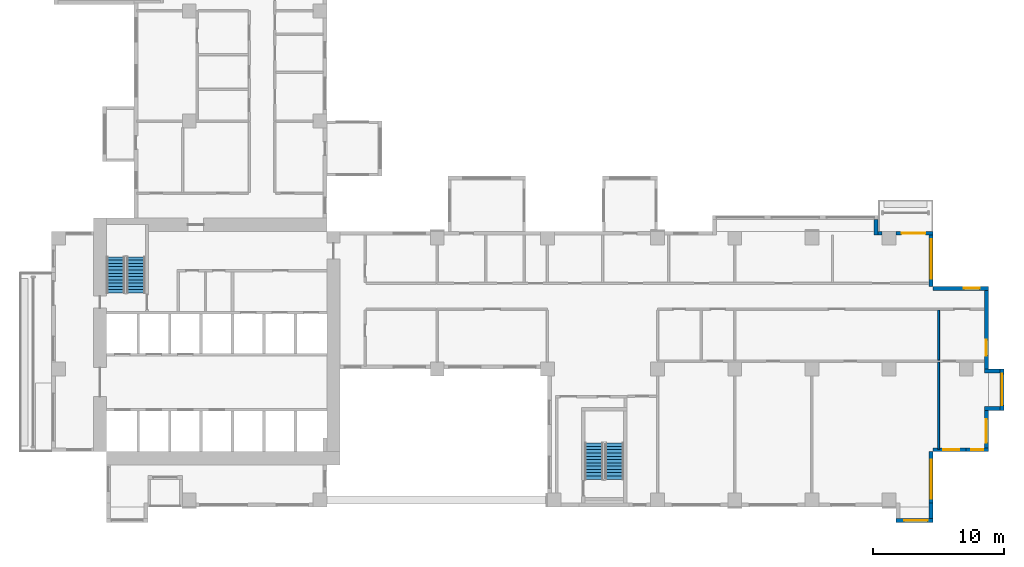
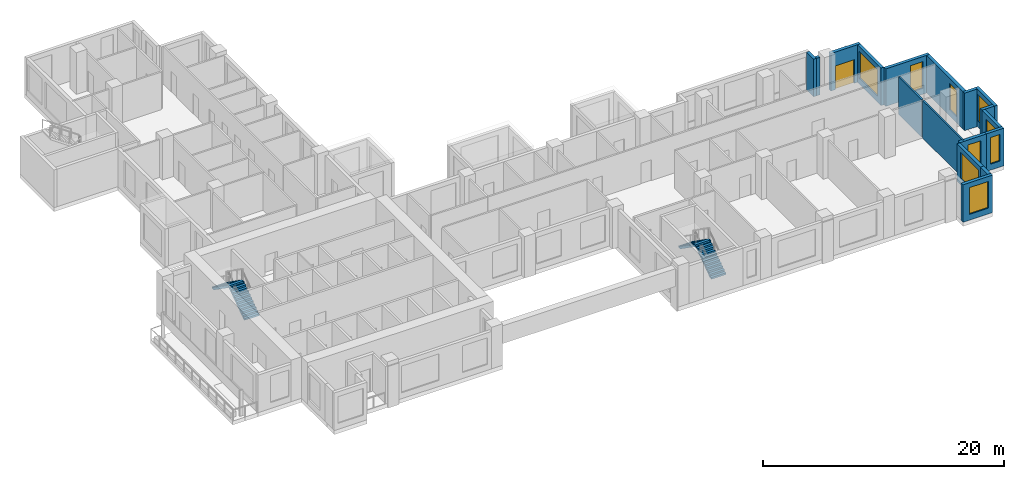
# One storey, part 8 of 14: 17 walls, 9 windows, 4 stair flights, 1 door, 10 openings, 2 elements without a shape of their own.
"""IFC4 building model written with IfcOpenShell, lengths in metres."""

from ifc_helpers import new_model, si_unit, direction, frame, frame_2d, origin, place, context, subcontext, project, spatial, polyline, rectangle, outline, extrude, source, transform, mapped, material, layer, layer_set, type_object, element, fill, aggregate, save


model = new_model("IFC4")

# Units and contexts
model_context = context("Model", 3, precision=1e-05, world=origin(), true_north=direction((0.0, 1.0)))
body_context = subcontext(model_context, "Body", "Model", "MODEL_VIEW")
ifc_project = project(units=[si_unit("LENGTHUNIT", "METRE"), si_unit("AREAUNIT", "SQUARE_METRE"), si_unit("VOLUMEUNIT", "CUBIC_METRE"), si_unit("PLANEANGLEUNIT", "RADIAN"), si_unit("MASSUNIT", "GRAM", prefix="KILO")], contexts=[model_context])

# Site, building, storey
site_placement = place(None, origin())
site = spatial("IfcSite", under=ifc_project, at=site_placement, CompositionType="ELEMENT")
building_placement = place(site_placement, origin())
building = spatial("IfcBuilding", under=site, at=building_placement, Name="Aurelian Terraces", CompositionType="ELEMENT")
storey_placement = place(building_placement, frame((0.0, 0.0, 153.9)))
storey = spatial("IfcBuildingStorey", under=building, at=storey_placement, Name="L34", CompositionType="ELEMENT", Elevation=153.9)

# Wall, opening, window
ifc_material_1 = material(Name="Terracotta rainscreen cladding", Category="masonry")
ifc_layer_1 = layer(ifc_material_1, 0.3)
ifc_layer_set_1 = layer_set([ifc_layer_1], Name="EW-300")
wall_type_1 = type_object("IfcWallType", Name="EW-300", PredefinedType="STANDARD", material=ifc_layer_set_1)
shared_shape_1 = source(origin(), body_context, "Body", "SweptSolid", [
    extrude(rectangle(XDim=3.15, YDim=0.3, at=frame_2d((1.575, 0.0))), origin(), (0.0, 0.0, 1.0), 3.8),
])
wall_1_placement = place(storey_placement, frame((71.25, 4.2, 0.0), z_axis=(0.0, 0.0, 1.0), x_axis=(0.0, 1.0, 0.0)))
wall_1 = element("IfcWall", 1, at=wall_1_placement, inside=storey, type_object=wall_type_1, Name="External wall L34 F08.17", PredefinedType="STANDARD", context=body_context, shape_type="MappedRepresentation", body=[
    mapped(shared_shape_1, transform((0.0, 0.0, 0.0), scale=1.0)),
])
shared_shape_2 = source(origin(), body_context, "Body", "SweptSolid", [
    extrude(rectangle(XDim=1.8, YDim=2.7, at=frame_2d((0.9, 1.35))), frame((0.0, 0.16, 0.0), z_axis=(0.0, -1.0, 0.0), x_axis=(1.0, 0.0, 0.0)), (0.0, 0.0, 1.0), 0.32),
])
opening_1_placement = place(wall_1_placement, frame((0.675, 0.0, 0.6)))
opening_1 = element("IfcOpeningElement", 2, at=opening_1_placement, cuts=wall_1, Name="Opening W1827", PredefinedType="OPENING", context=body_context, shape_type="MappedRepresentation", body=[
    mapped(shared_shape_2, transform((0.0, 0.0, 0.0), scale=1.0)),
])
ifc_material_2 = material(Name="Clear glazing", Category="glass")
window_type_1 = type_object("IfcWindowType", Name="W-1800x2700", PartitioningType="SINGLE_PANEL", PredefinedType="WINDOW", material=ifc_material_2)
shared_shape_3 = source(origin(), body_context, "Body", "SweptSolid", [
    extrude(rectangle(XDim=1.8, YDim=2.7, at=frame_2d((0.9, 1.35))), frame((0.0, 0.03, 0.0), z_axis=(0.0, -1.0, 0.0), x_axis=(1.0, 0.0, 0.0)), (0.0, 0.0, 1.0), 0.06),
])
window_1_placement = place(opening_1_placement, origin())
window_1 = element("IfcWindow", 3, at=window_1_placement, inside=storey, type_object=window_type_1, Name="Window L34 L34-F08-17-0", OverallHeight=2.7, OverallWidth=1.8, PartitioningType="SINGLE_PANEL", PredefinedType="WINDOW", context=body_context, shape_type="MappedRepresentation", body=[
    mapped(shared_shape_3, transform((0.0, 0.0, 0.0), scale=1.0)),
])
fill(opening_1, window_1)

wall_2_placement = place(storey_placement, frame((72.45, 7.35, 0.0), z_axis=(0.0, 0.0, 1.0), x_axis=(0.0, 1.0, 0.0)))
wall_2 = element("IfcWall", 4, at=wall_2_placement, inside=storey, type_object=wall_type_1, Name="Bay wall L34 F08.18", PredefinedType="STANDARD", context=body_context, shape_type="MappedRepresentation", body=[
    mapped(shared_shape_1, transform((0.0, 0.0, 0.0), scale=1.0)),
])
shared_shape_4 = source(origin(), body_context, "Body", "SweptSolid", [
    extrude(rectangle(XDim=2.4, YDim=2.7, at=frame_2d((1.2, 1.35))), frame((0.0, 0.16, 0.0), z_axis=(0.0, -1.0, 0.0), x_axis=(1.0, 0.0, 0.0)), (0.0, 0.0, 1.0), 0.32),
])
opening_2_placement = place(wall_2_placement, frame((0.375, 0.0, 0.6)))
opening_2 = element("IfcOpeningElement", 5, at=opening_2_placement, cuts=wall_2, Name="Opening W2427", PredefinedType="OPENING", context=body_context, shape_type="MappedRepresentation", body=[
    mapped(shared_shape_4, transform((0.0, 0.0, 0.0), scale=1.0)),
])
window_type_2 = type_object("IfcWindowType", Name="W-2400x2700", PartitioningType="SINGLE_PANEL", PredefinedType="WINDOW", material=ifc_material_2)
shared_shape_5 = source(origin(), body_context, "Body", "SweptSolid", [
    extrude(rectangle(XDim=2.4, YDim=2.7, at=frame_2d((1.2, 1.35))), frame((0.0, 0.03, 0.0), z_axis=(0.0, -1.0, 0.0), x_axis=(1.0, 0.0, 0.0)), (0.0, 0.0, 1.0), 0.06),
])
window_2_placement = place(opening_2_placement, origin())
window_2 = element("IfcWindow", 6, at=window_2_placement, inside=storey, type_object=window_type_2, Name="Window L34 L34-F08-18-0", OverallHeight=2.7, OverallWidth=2.4, PartitioningType="SINGLE_PANEL", PredefinedType="WINDOW", context=body_context, shape_type="MappedRepresentation", body=[
    mapped(shared_shape_5, transform((0.0, 0.0, 0.0), scale=1.0)),
])
fill(opening_2, window_2)

shared_shape_6 = source(origin(), body_context, "Body", "SweptSolid", [
    extrude(rectangle(XDim=4.2, YDim=0.3, at=frame_2d((2.1, 0.0))), origin(), (0.0, 0.0, 1.0), 3.8),
])
wall_3_placement = place(storey_placement, frame((67.05, 0.0, 0.0), z_axis=(0.0, 0.0, 1.0), x_axis=(0.0, 1.0, 0.0)))
wall_3 = element("IfcWall", 7, at=wall_3_placement, inside=storey, type_object=wall_type_1, Name="External wall L34 F06.14", PredefinedType="STANDARD", context=body_context, shape_type="MappedRepresentation", body=[
    mapped(shared_shape_6, transform((0.0, 0.0, 0.0), scale=1.0)),
])
shared_shape_7 = source(origin(), body_context, "Body", "SweptSolid", [
    extrude(rectangle(XDim=3.0, YDim=2.7, at=frame_2d((1.5, 1.35))), frame((0.0, 0.16, 0.0), z_axis=(0.0, -1.0, 0.0), x_axis=(1.0, 0.0, 0.0)), (0.0, 0.0, 1.0), 0.32),
])
opening_3_placement = place(wall_3_placement, frame((0.6, 0.0, 0.6)))
opening_3 = element("IfcOpeningElement", 8, at=opening_3_placement, cuts=wall_3, Name="Opening W3027", PredefinedType="OPENING", context=body_context, shape_type="MappedRepresentation", body=[
    mapped(shared_shape_7, transform((0.0, 0.0, 0.0), scale=1.0)),
])
window_type_3 = type_object("IfcWindowType", Name="W-3000x2700", PartitioningType="SINGLE_PANEL", PredefinedType="WINDOW", material=ifc_material_2)
shared_shape_8 = source(origin(), body_context, "Body", "SweptSolid", [
    extrude(rectangle(XDim=3.0, YDim=2.7, at=frame_2d((1.5, 1.35))), frame((0.0, 0.03, 0.0), z_axis=(0.0, -1.0, 0.0), x_axis=(1.0, 0.0, 0.0)), (0.0, 0.0, 1.0), 0.06),
])
window_3_placement = place(opening_3_placement, origin())
window_3 = element("IfcWindow", 9, at=window_3_placement, inside=storey, type_object=window_type_3, Name="Window L34 L34-F06-14-0", OverallHeight=2.7, OverallWidth=3.0, PartitioningType="SINGLE_PANEL", PredefinedType="WINDOW", context=body_context, shape_type="MappedRepresentation", body=[
    mapped(shared_shape_8, transform((0.0, 0.0, 0.0), scale=1.0)),
])
fill(opening_3, window_3)

wall_4_placement = place(storey_placement, frame((71.4, 16.65, 0.0), z_axis=(0.0, 0.0, 1.0), x_axis=(-1.0, 0.0, 0.0)))
wall_4 = element("IfcWall", 10, at=wall_4_placement, inside=storey, type_object=wall_type_1, Name="External wall L34 F09.20", PredefinedType="STANDARD", context=body_context, shape_type="MappedRepresentation", body=[
    mapped(shared_shape_6, transform((0.0, 0.0, 0.0), scale=1.0)),
])
shared_shape_9 = source(origin(), body_context, "Body", "SweptSolid", [
    extrude(rectangle(XDim=1.2, YDim=2.7, at=frame_2d((0.6, 1.35))), frame((0.0, 0.16, 0.0), z_axis=(0.0, -1.0, 0.0), x_axis=(1.0, 0.0, 0.0)), (0.0, 0.0, 1.0), 0.32),
])
opening_4_placement = place(wall_4_placement, frame((0.66, 0.0, 0.6)))
opening_4 = element("IfcOpeningElement", 11, at=opening_4_placement, cuts=wall_4, Name="Opening W1227", PredefinedType="OPENING", context=body_context, shape_type="MappedRepresentation", body=[
    mapped(shared_shape_9, transform((0.0, 0.0, 0.0), scale=1.0)),
])
window_type_4 = type_object("IfcWindowType", Name="W-1200x2700", PartitioningType="SINGLE_PANEL", PredefinedType="WINDOW", material=ifc_material_2)
shared_shape_10 = source(origin(), body_context, "Body", "SweptSolid", [
    extrude(rectangle(XDim=1.2, YDim=2.7, at=frame_2d((0.6, 1.35))), frame((0.0, 0.03, 0.0), z_axis=(0.0, -1.0, 0.0), x_axis=(1.0, 0.0, 0.0)), (0.0, 0.0, 1.0), 0.06),
])
window_4_placement = place(opening_4_placement, origin())
window_4 = element("IfcWindow", 12, at=window_4_placement, inside=storey, type_object=window_type_4, Name="Window L34 L34-F09-20-0", OverallHeight=2.7, OverallWidth=1.2, PartitioningType="SINGLE_PANEL", PredefinedType="WINDOW", context=body_context, shape_type="MappedRepresentation", body=[
    mapped(shared_shape_10, transform((0.0, 0.0, 0.0), scale=1.0)),
])
fill(opening_4, window_4)

wall_5_placement = place(storey_placement, frame((67.05, 16.8, 0.0), z_axis=(0.0, 0.0, 1.0), x_axis=(0.0, 1.0, 0.0)))
wall_5 = element("IfcWall", 13, at=wall_5_placement, inside=storey, type_object=wall_type_1, Name="External wall L34 F10.21", PredefinedType="STANDARD", context=body_context, shape_type="MappedRepresentation", body=[
    mapped(shared_shape_6, transform((0.0, 0.0, 0.0), scale=1.0)),
])
opening_5_placement = place(wall_5_placement, frame((0.6, 0.0, 0.6)))
opening_5 = element("IfcOpeningElement", 14, at=opening_5_placement, cuts=wall_5, Name="Opening W3027", PredefinedType="OPENING", context=body_context, shape_type="MappedRepresentation", body=[
    mapped(shared_shape_7, transform((0.0, 0.0, 0.0), scale=1.0)),
])
window_5_placement = place(opening_5_placement, origin())
window_5 = element("IfcWindow", 15, at=window_5_placement, inside=storey, type_object=window_type_3, Name="Window L34 L34-F10-21-0", OverallHeight=2.7, OverallWidth=3.0, PartitioningType="SINGLE_PANEL", PredefinedType="WINDOW", context=body_context, shape_type="MappedRepresentation", body=[
    mapped(shared_shape_8, transform((0.0, 0.0, 0.0), scale=1.0)),
])
fill(opening_5, window_5)

# Walls
shared_shape_11 = source(origin(), body_context, "Body", "SweptSolid", [
    extrude(rectangle(XDim=1.2, YDim=0.3, at=frame_2d((0.6, 0.0))), origin(), (0.0, 0.0, 1.0), 3.8),
])
for number, where, z_axis, x_axis, name in (
    (16, (67.05, 0.3, 0.0), (0.0, 0.0, 1.0), (0.0, -1.0, 0.0), "Bay return L34 F05.13.2"),
    (17, (71.1, 7.5, 0.0), (0.0, 0.0, 1.0), (1.0, 0.0, 0.0), "Bay return L34 F08.18.1"),
    (18, (71.1, 10.35, 0.0), (0.0, 0.0, 1.0), (1.0, 0.0, 0.0), "Bay return L34 F08.18.2"),
    (19, (62.85, 20.7, 0.0), (0.0, 0.0, 1.0), (0.0, 1.0, 0.0), "Bay return L34 F11.23.1"),
):
    element("IfcWall", number, at=place(storey_placement, frame(where, z_axis=z_axis, x_axis=x_axis)), inside=storey, type_object=wall_type_1, Name=name, PredefinedType="STANDARD", context=body_context, shape_type="MappedRepresentation", body=[
        mapped(shared_shape_11, transform((0.0, 0.0, 0.0), scale=1.0)),
    ])

# Wall, opening, window
shared_shape_12 = source(origin(), body_context, "Body", "SweptSolid", [
    extrude(rectangle(XDim=2.52, YDim=0.3, at=frame_2d((1.26, 0.0))), origin(), (0.0, 0.0, 1.0), 3.8),
])
wall_6_placement = place(storey_placement, frame((67.2, 4.35, 0.0), z_axis=(0.0, 0.0, 1.0), x_axis=(1.0, 0.0, 0.0)))
wall_6 = element("IfcWall", 20, at=wall_6_placement, inside=storey, type_object=wall_type_1, Name="External wall L34 F07.15", PredefinedType="STANDARD", context=body_context, shape_type="MappedRepresentation", body=[
    mapped(shared_shape_12, transform((0.0, 0.0, 0.0), scale=1.0)),
])
opening_6_placement = place(wall_6_placement, frame((0.7775, 0.0, 0.6)))
opening_6 = element("IfcOpeningElement", 21, at=opening_6_placement, cuts=wall_6, Name="Opening W1227", PredefinedType="OPENING", context=body_context, shape_type="MappedRepresentation", body=[
    mapped(shared_shape_9, transform((0.0, 0.0, 0.0), scale=1.0)),
])
window_6_placement = place(opening_6_placement, origin())
window_6 = element("IfcWindow", 22, at=window_6_placement, inside=storey, type_object=window_type_4, Name="Window L34 L34-F07-15-P0", OverallHeight=2.7, OverallWidth=1.2, PartitioningType="SINGLE_PANEL", PredefinedType="WINDOW", context=body_context, shape_type="MappedRepresentation", body=[
    mapped(shared_shape_10, transform((0.0, 0.0, 0.0), scale=1.0)),
])
fill(opening_6, window_6)

shared_shape_13 = source(origin(), body_context, "Body", "SweptSolid", [
    extrude(rectangle(XDim=1.68, YDim=0.3, at=frame_2d((0.84, 0.0))), origin(), (0.0, 0.0, 1.0), 3.8),
])
wall_7_placement = place(storey_placement, frame((69.72, 4.35, 0.0), z_axis=(0.0, 0.0, 1.0), x_axis=(1.0, 0.0, 0.0)))
wall_7 = element("IfcWall", 23, at=wall_7_placement, inside=storey, type_object=wall_type_1, Name="External wall L34 F07.16", PredefinedType="STANDARD", context=body_context, shape_type="MappedRepresentation", body=[
    mapped(shared_shape_13, transform((0.0, 0.0, 0.0), scale=1.0)),
])
shared_shape_14 = source(origin(), body_context, "Body", "SweptSolid", [
    extrude(rectangle(XDim=0.9, YDim=2.7, at=frame_2d((0.45, 1.35))), frame((0.0, 0.16, 0.0), z_axis=(0.0, -1.0, 0.0), x_axis=(1.0, 0.0, 0.0)), (0.0, 0.0, 1.0), 0.32),
])
opening_7_placement = place(wall_7_placement, frame((0.39, 0.0, 0.6)))
opening_7 = element("IfcOpeningElement", 24, at=opening_7_placement, cuts=wall_7, Name="Opening W0927", PredefinedType="OPENING", context=body_context, shape_type="MappedRepresentation", body=[
    mapped(shared_shape_14, transform((0.0, 0.0, 0.0), scale=1.0)),
])
window_type_5 = type_object("IfcWindowType", Name="W-900x2700", PartitioningType="SINGLE_PANEL", PredefinedType="WINDOW", material=ifc_material_2)
shared_shape_15 = source(origin(), body_context, "Body", "SweptSolid", [
    extrude(rectangle(XDim=0.9, YDim=2.7, at=frame_2d((0.45, 1.35))), frame((0.0, 0.03, 0.0), z_axis=(0.0, -1.0, 0.0), x_axis=(1.0, 0.0, 0.0)), (0.0, 0.0, 1.0), 0.06),
])
window_7_placement = place(opening_7_placement, origin())
window_7 = element("IfcWindow", 25, at=window_7_placement, inside=storey, type_object=window_type_5, Name="Window L34 L34-F07-16-P0", OverallHeight=2.7, OverallWidth=0.9, PartitioningType="SINGLE_PANEL", PredefinedType="WINDOW", context=body_context, shape_type="MappedRepresentation", body=[
    mapped(shared_shape_15, transform((0.0, 0.0, 0.0), scale=1.0)),
])
fill(opening_7, window_7)

shared_shape_16 = source(origin(), body_context, "Body", "SweptSolid", [
    extrude(rectangle(XDim=6.3, YDim=0.3, at=frame_2d((3.15, 0.0))), origin(), (0.0, 0.0, 1.0), 3.8),
])
wall_8_placement = place(storey_placement, frame((71.25, 10.5, 0.0), z_axis=(0.0, 0.0, 1.0), x_axis=(0.0, 1.0, 0.0)))
wall_8 = element("IfcWall", 26, at=wall_8_placement, inside=storey, type_object=wall_type_1, Name="External wall L34 F08.19", PredefinedType="STANDARD", context=body_context, shape_type="MappedRepresentation", body=[
    mapped(shared_shape_16, transform((0.0, 0.0, 0.0), scale=1.0)),
])
opening_8_placement = place(wall_8_placement, frame((1.025, 0.0, 0.6)))
opening_8 = element("IfcOpeningElement", 27, at=opening_8_placement, cuts=wall_8, Name="Opening W1227", PredefinedType="OPENING", context=body_context, shape_type="MappedRepresentation", body=[
    mapped(shared_shape_9, transform((0.0, 0.0, 0.0), scale=1.0)),
])
window_8_placement = place(opening_8_placement, origin())
window_8 = element("IfcWindow", 28, at=window_8_placement, inside=storey, type_object=window_type_4, Name="Window L34 L34-F08-19-0", OverallHeight=2.7, OverallWidth=1.2, PartitioningType="SINGLE_PANEL", PredefinedType="WINDOW", context=body_context, shape_type="MappedRepresentation", body=[
    mapped(shared_shape_10, transform((0.0, 0.0, 0.0), scale=1.0)),
])
fill(opening_8, window_8)

shared_shape_17 = source(origin(), body_context, "Body", "SweptSolid", [
    extrude(rectangle(XDim=2.835, YDim=0.3, at=frame_2d((1.4175, 0.0))), origin(), (0.0, 0.0, 1.0), 3.8),
])
wall_9_placement = place(storey_placement, frame((64.365, -1.05, 0.0), z_axis=(0.0, 0.0, 1.0), x_axis=(1.0, 0.0, 0.0)))
wall_9 = element("IfcWall", 29, at=wall_9_placement, inside=storey, type_object=wall_type_1, Name="Bay wall L34 F05.13", PredefinedType="STANDARD", context=body_context, shape_type="MappedRepresentation", body=[
    mapped(shared_shape_17, transform((0.0, 0.0, 0.0), scale=1.0)),
])
opening_9_placement = place(wall_9_placement, frame((0.6175, 0.0, 0.6)))
opening_9 = element("IfcOpeningElement", 30, at=opening_9_placement, cuts=wall_9, Name="Opening W1827", PredefinedType="OPENING", context=body_context, shape_type="MappedRepresentation", body=[
    mapped(shared_shape_2, transform((0.0, 0.0, 0.0), scale=1.0)),
])
window_9_placement = place(opening_9_placement, origin())
window_9 = element("IfcWindow", 31, at=window_9_placement, inside=storey, type_object=window_type_1, Name="Window L34 L34-F05-13-0", OverallHeight=2.7, OverallWidth=1.8, PartitioningType="SINGLE_PANEL", PredefinedType="WINDOW", context=body_context, shape_type="MappedRepresentation", body=[
    mapped(shared_shape_3, transform((0.0, 0.0, 0.0), scale=1.0)),
])
fill(opening_9, window_9)

# Wall, opening, door
wall_10_placement = place(storey_placement, frame((67.2, 20.85, 0.0), z_axis=(0.0, 0.0, 1.0), x_axis=(-1.0, 0.0, 0.0)))
wall_10 = element("IfcWall", 32, at=wall_10_placement, inside=storey, type_object=wall_type_1, Name="External wall L34 F11.22", PredefinedType="STANDARD", context=body_context, shape_type="MappedRepresentation", body=[
    mapped(shared_shape_17, transform((0.0, 0.0, 0.0), scale=1.0)),
])
shared_shape_18 = source(origin(), body_context, "Body", "SweptSolid", [
    extrude(rectangle(XDim=1.8, YDim=2.4, at=frame_2d((0.9, 1.2))), frame((0.0, 0.16, 0.0), z_axis=(0.0, -1.0, 0.0), x_axis=(1.0, 0.0, 0.0)), (0.0, 0.0, 1.0), 0.32),
])
opening_10_placement = place(wall_10_placement, frame((0.6, 0.0, 0.0)))
opening_10 = element("IfcOpeningElement", 33, at=opening_10_placement, cuts=wall_10, Name="Opening 83402", PredefinedType="OPENING", context=body_context, shape_type="MappedRepresentation", body=[
    mapped(shared_shape_18, transform((0.0, 0.0, 0.0), scale=1.0)),
])
door_type = type_object("IfcDoorType", Name="BD-1800x2400", OperationType="SLIDING_TO_LEFT", PredefinedType="DOOR", material=ifc_material_2)
shared_shape_19 = source(origin(), body_context, "Body", "SweptSolid", [
    extrude(rectangle(XDim=1.8, YDim=2.4, at=frame_2d((0.9, 1.2))), frame((0.0, 0.025, 0.0), z_axis=(0.0, -1.0, 0.0), x_axis=(1.0, 0.0, 0.0)), (0.0, 0.0, 1.0), 0.05),
])
door_placement = place(opening_10_placement, origin())
door = element("IfcDoor", 34, at=door_placement, inside=storey, type_object=door_type, Name="Balcony door L34 F11.22", OperationType="SLIDING_TO_LEFT", OverallHeight=2.4, OverallWidth=1.8, PredefinedType="DOOR", context=body_context, shape_type="MappedRepresentation", body=[
    mapped(shared_shape_19, transform((0.0, 0.0, 0.0), scale=1.0)),
])
fill(opening_10, door)

# Walls
shared_shape_20 = source(origin(), body_context, "Body", "SweptSolid", [
    extrude(rectangle(XDim=0.315, YDim=0.3, at=frame_2d((0.1575, 0.0))), origin(), (0.0, 0.0, 1.0), 3.8),
])
wall_11_placement = place(storey_placement, frame((63.315, 20.85, 0.0), z_axis=(0.0, 0.0, 1.0), x_axis=(-1.0, 0.0, 0.0)))
element("IfcWall", 35, at=wall_11_placement, inside=storey, type_object=wall_type_1, Name="External wall L34 F11.22", PredefinedType="STANDARD", context=body_context, shape_type="MappedRepresentation", body=[
    mapped(shared_shape_20, transform((0.0, 0.0, 0.0), scale=1.0)),
])
ifc_material_3 = material(Name="Gypsum board on steel studs", Category="steel")
ifc_layer_2 = layer(ifc_material_3, 0.15)
ifc_layer_set_2 = layer_set([ifc_layer_2], Name="Partition 150")
wall_type_2 = type_object("IfcWallType", Name="Partition 150", PredefinedType="PARTITIONING", material=ifc_layer_set_2)
shared_shape_21 = source(origin(), body_context, "Body", "SweptSolid", [
    extrude(rectangle(XDim=3.825, YDim=0.15, at=frame_2d((1.9125, 0.0))), origin(), (0.0, 0.0, 1.0), 3.8),
])
wall_12_placement = place(storey_placement, frame((67.62, 11.175, 0.0), z_axis=(0.0, 0.0, 1.0), x_axis=(0.0, 1.0, 0.0)))
element("IfcWall", 36, at=wall_12_placement, inside=storey, type_object=wall_type_2, Name="Partition", PredefinedType="PARTITIONING", context=body_context, shape_type="MappedRepresentation", body=[
    mapped(shared_shape_21, transform((0.0, 0.0, 0.0), scale=1.0)),
])
shared_shape_22 = source(origin(), body_context, "Body", "SweptSolid", [
    extrude(rectangle(XDim=6.62, YDim=0.15, at=frame_2d((3.31, 0.0))), origin(), (0.0, 0.0, 1.0), 3.8),
])
wall_13_placement = place(storey_placement, frame((67.62, 4.405, 0.0), z_axis=(0.0, 0.0, 1.0), x_axis=(0.0, 1.0, 0.0)))
element("IfcWall", 37, at=wall_13_placement, inside=storey, type_object=wall_type_2, Name="Partition", PredefinedType="PARTITIONING", context=body_context, shape_type="MappedRepresentation", body=[
    mapped(shared_shape_22, transform((0.0, 0.0, 0.0), scale=1.0)),
])

# Stair, stair flights
ifc_material_4 = material(Name="Concrete fc' 40 MPa", Category="concrete")
stair_type = type_object("IfcStairType", Name="Stair 1400", PredefinedType="HALF_TURN_STAIR", material=ifc_material_4)
stair_1_placement = place(storey_placement, origin())
stair_1 = element("IfcStair", 38, at=stair_1_placement, inside=storey, type_object=stair_type, Name="L34 S1", PredefinedType="HALF_TURN_STAIR")
stair_flight_type = type_object("IfcStairFlightType", Name="Stair flight 1400", PredefinedType="STRAIGHT", material=ifc_material_4)
shared_shape_23 = source(origin(), body_context, "Body", "SweptSolid", [
    extrude(outline(polyline([(0.0, 0.0), (0.0, 0.175), (0.25, 0.175), (0.25, 0.35), (0.5, 0.35), (0.5, 0.525), (0.75, 0.525), (0.75, 0.7), (1.0, 0.7), (1.0, 0.875), (1.25, 0.875), (1.25, 1.05), (1.5, 1.05), (1.5, 1.225), (1.75, 1.225), (1.75, 1.4), (2.0, 1.4), (2.0, 1.575), (2.25, 1.575), (2.25, 1.75), (2.5, 1.75), (2.5, 1.925), (2.75, 1.925), (2.75, 2.1), (2.75, 1.7419), (0.2616, 0.0), (0.0, 0.0)])), frame((0.0, 0.7, 0.0), z_axis=(0.0, -1.0, 0.0), x_axis=(1.0, 0.0, 0.0)), (0.0, 0.0, 1.0), 1.4),
])
stair_flight_1_placement = place(storey_placement, frame((6.45, 16.3, 2e-08), z_axis=(0.0, 0.0, 1.0), x_axis=(0.0, 1.0, 0.0)))
stair_flight_1 = element("IfcStairFlight", 39, at=stair_flight_1_placement, type_object=stair_flight_type, Name="S1 flight 1", NumberOfRisers=12, NumberOfTreads=11, PredefinedType="STRAIGHT", RiserHeight=0.175, TreadLength=0.25, context=body_context, shape_type="MappedRepresentation", body=[
    mapped(shared_shape_23, transform((0.0, 0.0, 0.0), scale=1.0)),
])
stair_flight_2_placement = place(storey_placement, frame((4.9, 19.05, 2.100000019999994), z_axis=(0.0, 0.0, 1.0), x_axis=(0.0, -1.0, 0.0)))
stair_flight_2 = element("IfcStairFlight", 40, at=stair_flight_2_placement, type_object=stair_flight_type, Name="S1 flight 2", NumberOfRisers=12, NumberOfTreads=11, PredefinedType="STRAIGHT", RiserHeight=0.175, TreadLength=0.25, context=body_context, shape_type="MappedRepresentation", body=[
    mapped(shared_shape_23, transform((0.0, 0.0, 0.0), scale=1.0)),
])
aggregate(stair_1, [stair_flight_1, stair_flight_2])

stair_2_placement = place(storey_placement, origin())
stair_2 = element("IfcStair", 41, at=stair_2_placement, inside=storey, type_object=stair_type, Name="L34 S2", PredefinedType="HALF_TURN_STAIR")
stair_flight_3_placement = place(storey_placement, frame((42.9, 2.1, 2e-08), z_axis=(0.0, 0.0, 1.0), x_axis=(0.0, 1.0, 0.0)))
stair_flight_3 = element("IfcStairFlight", 42, at=stair_flight_3_placement, type_object=stair_flight_type, Name="S2 flight 1", NumberOfRisers=12, NumberOfTreads=11, PredefinedType="STRAIGHT", RiserHeight=0.175, TreadLength=0.25, context=body_context, shape_type="MappedRepresentation", body=[
    mapped(shared_shape_23, transform((0.0, 0.0, 0.0), scale=1.0)),
])
stair_flight_4_placement = place(storey_placement, frame((41.35, 4.85, 2.100000019999994), z_axis=(0.0, 0.0, 1.0), x_axis=(0.0, -1.0, 0.0)))
stair_flight_4 = element("IfcStairFlight", 43, at=stair_flight_4_placement, type_object=stair_flight_type, Name="S2 flight 2", NumberOfRisers=12, NumberOfTreads=11, PredefinedType="STRAIGHT", RiserHeight=0.175, TreadLength=0.25, context=body_context, shape_type="MappedRepresentation", body=[
    mapped(shared_shape_23, transform((0.0, 0.0, 0.0), scale=1.0)),
])
aggregate(stair_2, [stair_flight_3, stair_flight_4])

save(model, "model.ifc")
